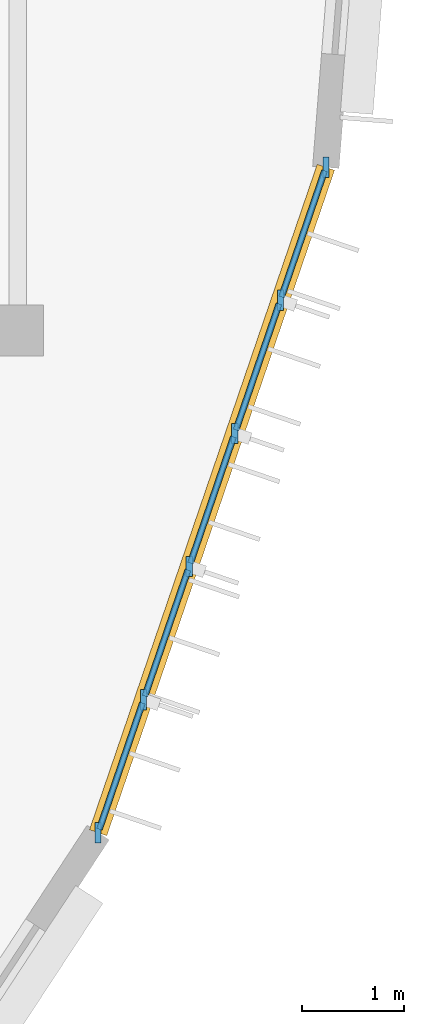
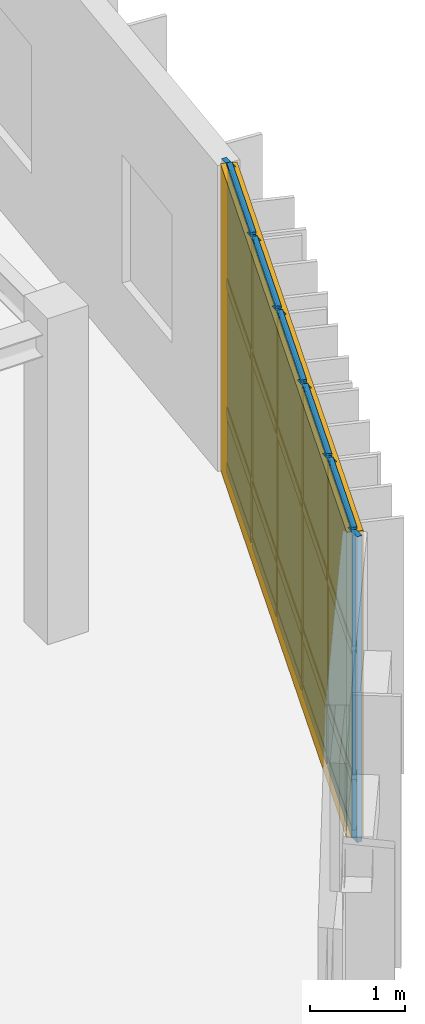
# One storey, part 100 of 122: 26 members, 15 plates, 1 curtain wall.
"""IFC4 building model written with IfcOpenShell, lengths in metres."""

from ifc_helpers import new_model, si_unit, direction, frame, frame_2d, origin, origin_2d, place, context, subcontext, project, spatial, rectangle, extrude, material, layer, layer_set, material_profile, profile_set, type_object, element, aggregate, save


model = new_model("IFC4")

# Units and contexts
model_context = context("Model", 3, precision=1e-05, world=origin(), true_north=direction((0.0, 1.0)))
body_context = subcontext(model_context, "Body", "Model", "MODEL_VIEW")
ifc_project = project(units=[si_unit("LENGTHUNIT", "METRE"), si_unit("AREAUNIT", "SQUARE_METRE"), si_unit("VOLUMEUNIT", "CUBIC_METRE"), si_unit("PLANEANGLEUNIT", "RADIAN"), si_unit("MASSUNIT", "GRAM", prefix="KILO")], contexts=[model_context])

# Member
ifc_material_1 = material(Name="Anodised Bronze Aluminium 6063-T6", Category="aluminium")
ifc_material_profile_1 = material_profile(ifc_material_1, rectangle(XDim=0.06005859375, YDim=0.199951171875, at=origin_2d()), Name="ALU MULLION 60x200")
ifc_profile_set_1 = profile_set([ifc_material_profile_1], Name="Anodised Bronze Aluminium 6063-T6")
member_type_1 = type_object("IfcMemberType", Name="Curtain-Wall Standard Mullion 60x200", PredefinedType="MULLION", material=ifc_profile_set_1)
site_placement = place(None, origin())
building_placement = place(site_placement, origin())
storey_placement = place(building_placement, frame((0.0, 0.0, 4.800048828125)))
member_1_placement = place(storey_placement, frame((159.7890625, 32.464599609375, 0.0), z_axis=(0.0, 0.0, 1.0), x_axis=(1.0, 0.0, 0.0)))
member_1 = element("IfcMember", 1, at=member_1_placement, type_object=member_type_1, Name="Mullion CWM-03 CW-V4-DRUM-L01-S07-M01", PredefinedType="MULLION", context=body_context, shape_type="SweptSolid", body=[
    extrude(rectangle(XDim=0.06005859375, YDim=0.199951171875, at=origin_2d()), origin(), (0.0, 0.0, 1.0), 3.93994140625),
])

member_2_placement = place(storey_placement, frame((160.236572265625, 33.772216796875, 0.0), z_axis=(0.0, 0.0, 1.0), x_axis=(1.0, 0.0, 0.0)))
member_2 = element("IfcMember", 2, at=member_2_placement, type_object=member_type_1, Name="Mullion CWM-03 CW-V4-DRUM-L01-S07-M02", PredefinedType="MULLION", context=body_context, shape_type="SweptSolid", body=[
    extrude(rectangle(XDim=0.06005859375, YDim=0.199951171875, at=origin_2d()), origin(), (0.0, 0.0, 1.0), 3.93994140625),
])

member_3_placement = place(storey_placement, frame((160.68408203125, 35.079833984375, 0.0), z_axis=(0.0, 0.0, 1.0), x_axis=(1.0, 0.0, 0.0)))
member_3 = element("IfcMember", 3, at=member_3_placement, type_object=member_type_1, Name="Mullion CWM-03 CW-V4-DRUM-L01-S07-M03", PredefinedType="MULLION", context=body_context, shape_type="SweptSolid", body=[
    extrude(rectangle(XDim=0.06005859375, YDim=0.199951171875, at=origin_2d()), origin(), (0.0, 0.0, 1.0), 3.93994140625),
])

member_4_placement = place(storey_placement, frame((161.131591796875, 36.387451171875, 0.0), z_axis=(0.0, 0.0, 1.0), x_axis=(1.0, 0.0, 0.0)))
member_4 = element("IfcMember", 4, at=member_4_placement, type_object=member_type_1, Name="Mullion CWM-03 CW-V4-DRUM-L01-S07-M04", PredefinedType="MULLION", context=body_context, shape_type="SweptSolid", body=[
    extrude(rectangle(XDim=0.06005859375, YDim=0.199951171875, at=origin_2d()), origin(), (0.0, 0.0, 1.0), 3.93994140625),
])

member_5_placement = place(storey_placement, frame((161.5791015625, 37.6953125, 0.0), z_axis=(0.0, 0.0, 1.0), x_axis=(1.0, 0.0, 0.0)))
member_5 = element("IfcMember", 5, at=member_5_placement, type_object=member_type_1, Name="Mullion CWM-03 CW-V4-DRUM-L01-S07-M05", PredefinedType="MULLION", context=body_context, shape_type="SweptSolid", body=[
    extrude(rectangle(XDim=0.06005859375, YDim=0.199951171875, at=origin_2d()), origin(), (0.0, 0.0, 1.0), 3.93994140625),
])

member_6_placement = place(storey_placement, frame((162.026611328125, 39.002685546875, 0.0), z_axis=(0.0, 0.0, 1.0), x_axis=(1.0, 0.0, 0.0)))
member_6 = element("IfcMember", 6, at=member_6_placement, type_object=member_type_1, Name="Mullion CWM-03 CW-V4-DRUM-L01-S07-M06", PredefinedType="MULLION", context=body_context, shape_type="SweptSolid", body=[
    extrude(rectangle(XDim=0.06005859375, YDim=0.199951171875, at=origin_2d()), origin(), (0.0, 0.0, 1.0), 3.93994140625),
])

ifc_material_profile_2 = material_profile(ifc_material_1, rectangle(XDim=0.06005859375, YDim=0.139892578125, at=origin_2d()), Name="ALU TRANSOM 60x140")
ifc_profile_set_2 = profile_set([ifc_material_profile_2], Name="Anodised Bronze Aluminium 6063-T6")
member_type_2 = type_object("IfcMemberType", Name="Curtain-Wall Transom 60x140", PredefinedType="USERDEFINED", material=ifc_profile_set_2)
member_7_placement = place(storey_placement, frame((159.80029296875, 32.497802734375, 0.0400390625), z_axis=(0.323810434069, 0.946121980924, 0.0), x_axis=(-0.946121980924, 0.323810434069, 0.0)))
member_7 = element("IfcMember", 7, at=member_7_placement, type_object=member_type_2, Name="Transom CWT-01 CW-V4-DRUM-L01-S07-T01.1", ObjectType="TRANSOM", PredefinedType="USERDEFINED", context=body_context, shape_type="SweptSolid", body=[
    extrude(rectangle(XDim=0.06005859375, YDim=0.139892578125, at=origin_2d()), origin(), (0.0, 0.0, 1.0), 1.31201171875),
])

member_8_placement = place(storey_placement, frame((159.80029296875, 32.497802734375, 0.75), z_axis=(0.323810434069, 0.946121980924, 0.0), x_axis=(-0.946121980924, 0.323810434069, 0.0)))
member_8 = element("IfcMember", 8, at=member_8_placement, type_object=member_type_2, Name="Transom CWT-01 CW-V4-DRUM-L01-S07-T01.2", ObjectType="TRANSOM", PredefinedType="USERDEFINED", context=body_context, shape_type="SweptSolid", body=[
    extrude(rectangle(XDim=0.06005859375, YDim=0.139892578125, at=origin_2d()), origin(), (0.0, 0.0, 1.0), 1.31201171875),
])

member_9_placement = place(storey_placement, frame((159.80029296875, 32.497802734375, 2.40869140625), z_axis=(0.323810434069, 0.946121980924, 0.0), x_axis=(-0.946121980924, 0.323810434069, 0.0)))
member_9 = element("IfcMember", 9, at=member_9_placement, type_object=member_type_2, Name="Transom CWT-01 CW-V4-DRUM-L01-S07-T01.3", ObjectType="TRANSOM", PredefinedType="USERDEFINED", context=body_context, shape_type="SweptSolid", body=[
    extrude(rectangle(XDim=0.06005859375, YDim=0.139892578125, at=origin_2d()), origin(), (0.0, 0.0, 1.0), 1.31201171875),
])

member_10_placement = place(storey_placement, frame((159.80029296875, 32.497802734375, 3.89990234375), z_axis=(0.323810434069, 0.946121980924, 0.0), x_axis=(-0.946121980924, 0.323810434069, 0.0)))
member_10 = element("IfcMember", 10, at=member_10_placement, type_object=member_type_2, Name="Transom CWT-01 CW-V4-DRUM-L01-S07-T01.4", ObjectType="TRANSOM", PredefinedType="USERDEFINED", context=body_context, shape_type="SweptSolid", body=[
    extrude(rectangle(XDim=0.06005859375, YDim=0.139892578125, at=origin_2d()), origin(), (0.0, 0.0, 1.0), 1.31201171875),
])

member_11_placement = place(storey_placement, frame((160.247802734375, 33.805419921875, 0.0400390625), z_axis=(0.323753429774, 0.946141488737, 0.0), x_axis=(-0.946141488737, 0.323753429774, 0.0)))
member_11 = element("IfcMember", 11, at=member_11_placement, type_object=member_type_2, Name="Transom CWT-01 CW-V4-DRUM-L01-S07-T02.1", ObjectType="TRANSOM", PredefinedType="USERDEFINED", context=body_context, shape_type="SweptSolid", body=[
    extrude(rectangle(XDim=0.06005859375, YDim=0.139892578125, at=origin_2d()), origin(), (0.0, 0.0, 1.0), 1.31201171875),
])

member_12_placement = place(storey_placement, frame((160.247802734375, 33.805419921875, 0.75), z_axis=(0.323753429774, 0.946141488737, 0.0), x_axis=(-0.946141488737, 0.323753429774, 0.0)))
member_12 = element("IfcMember", 12, at=member_12_placement, type_object=member_type_2, Name="Transom CWT-01 CW-V4-DRUM-L01-S07-T02.2", ObjectType="TRANSOM", PredefinedType="USERDEFINED", context=body_context, shape_type="SweptSolid", body=[
    extrude(rectangle(XDim=0.06005859375, YDim=0.139892578125, at=origin_2d()), origin(), (0.0, 0.0, 1.0), 1.31201171875),
])

member_13_placement = place(storey_placement, frame((160.247802734375, 33.805419921875, 2.40869140625), z_axis=(0.323753429774, 0.946141488737, 0.0), x_axis=(-0.946141488737, 0.323753429774, 0.0)))
member_13 = element("IfcMember", 13, at=member_13_placement, type_object=member_type_2, Name="Transom CWT-01 CW-V4-DRUM-L01-S07-T02.3", ObjectType="TRANSOM", PredefinedType="USERDEFINED", context=body_context, shape_type="SweptSolid", body=[
    extrude(rectangle(XDim=0.06005859375, YDim=0.139892578125, at=origin_2d()), origin(), (0.0, 0.0, 1.0), 1.31201171875),
])

member_14_placement = place(storey_placement, frame((160.247802734375, 33.805419921875, 3.89990234375), z_axis=(0.323753429774, 0.946141488737, 0.0), x_axis=(-0.946141488737, 0.323753429774, 0.0)))
member_14 = element("IfcMember", 14, at=member_14_placement, type_object=member_type_2, Name="Transom CWT-01 CW-V4-DRUM-L01-S07-T02.4", ObjectType="TRANSOM", PredefinedType="USERDEFINED", context=body_context, shape_type="SweptSolid", body=[
    extrude(rectangle(XDim=0.06005859375, YDim=0.139892578125, at=origin_2d()), origin(), (0.0, 0.0, 1.0), 1.31201171875),
])

member_15_placement = place(storey_placement, frame((160.6953125, 35.113037109375, 0.0400390625), z_axis=(0.323753429774, 0.946141488737, 0.0), x_axis=(-0.946141488737, 0.323753429774, 0.0)))
member_15 = element("IfcMember", 15, at=member_15_placement, type_object=member_type_2, Name="Transom CWT-01 CW-V4-DRUM-L01-S07-T03.1", ObjectType="TRANSOM", PredefinedType="USERDEFINED", context=body_context, shape_type="SweptSolid", body=[
    extrude(rectangle(XDim=0.06005859375, YDim=0.139892578125, at=origin_2d()), origin(), (0.0, 0.0, 1.0), 1.31201171875),
])

member_16_placement = place(storey_placement, frame((160.6953125, 35.113037109375, 0.75), z_axis=(0.323753429774, 0.946141488737, 0.0), x_axis=(-0.946141488737, 0.323753429774, 0.0)))
member_16 = element("IfcMember", 16, at=member_16_placement, type_object=member_type_2, Name="Transom CWT-01 CW-V4-DRUM-L01-S07-T03.2", ObjectType="TRANSOM", PredefinedType="USERDEFINED", context=body_context, shape_type="SweptSolid", body=[
    extrude(rectangle(XDim=0.06005859375, YDim=0.139892578125, at=origin_2d()), origin(), (0.0, 0.0, 1.0), 1.31201171875),
])

member_17_placement = place(storey_placement, frame((160.6953125, 35.113037109375, 2.40869140625), z_axis=(0.323753429774, 0.946141488737, 0.0), x_axis=(-0.946141488737, 0.323753429774, 0.0)))
member_17 = element("IfcMember", 17, at=member_17_placement, type_object=member_type_2, Name="Transom CWT-01 CW-V4-DRUM-L01-S07-T03.3", ObjectType="TRANSOM", PredefinedType="USERDEFINED", context=body_context, shape_type="SweptSolid", body=[
    extrude(rectangle(XDim=0.06005859375, YDim=0.139892578125, at=origin_2d()), origin(), (0.0, 0.0, 1.0), 1.31201171875),
])

member_18_placement = place(storey_placement, frame((160.6953125, 35.113037109375, 3.89990234375), z_axis=(0.323753429774, 0.946141488737, 0.0), x_axis=(-0.946141488737, 0.323753429774, 0.0)))
member_18 = element("IfcMember", 18, at=member_18_placement, type_object=member_type_2, Name="Transom CWT-01 CW-V4-DRUM-L01-S07-T03.4", ObjectType="TRANSOM", PredefinedType="USERDEFINED", context=body_context, shape_type="SweptSolid", body=[
    extrude(rectangle(XDim=0.06005859375, YDim=0.139892578125, at=origin_2d()), origin(), (0.0, 0.0, 1.0), 1.31201171875),
])

member_19_placement = place(storey_placement, frame((161.142822265625, 36.420654296875, 0.0400390625), z_axis=(0.323753429774, 0.946141488737, 0.0), x_axis=(-0.946141488737, 0.323753429774, 0.0)))
member_19 = element("IfcMember", 19, at=member_19_placement, type_object=member_type_2, Name="Transom CWT-01 CW-V4-DRUM-L01-S07-T04.1", ObjectType="TRANSOM", PredefinedType="USERDEFINED", context=body_context, shape_type="SweptSolid", body=[
    extrude(rectangle(XDim=0.06005859375, YDim=0.139892578125, at=origin_2d()), origin(), (0.0, 0.0, 1.0), 1.31201171875),
])

member_20_placement = place(storey_placement, frame((161.142822265625, 36.420654296875, 0.75), z_axis=(0.323753429774, 0.946141488737, 0.0), x_axis=(-0.946141488737, 0.323753429774, 0.0)))
member_20 = element("IfcMember", 20, at=member_20_placement, type_object=member_type_2, Name="Transom CWT-01 CW-V4-DRUM-L01-S07-T04.2", ObjectType="TRANSOM", PredefinedType="USERDEFINED", context=body_context, shape_type="SweptSolid", body=[
    extrude(rectangle(XDim=0.06005859375, YDim=0.139892578125, at=origin_2d()), origin(), (0.0, 0.0, 1.0), 1.31201171875),
])

member_21_placement = place(storey_placement, frame((161.142822265625, 36.420654296875, 2.40869140625), z_axis=(0.323753429774, 0.946141488737, 0.0), x_axis=(-0.946141488737, 0.323753429774, 0.0)))
member_21 = element("IfcMember", 21, at=member_21_placement, type_object=member_type_2, Name="Transom CWT-01 CW-V4-DRUM-L01-S07-T04.3", ObjectType="TRANSOM", PredefinedType="USERDEFINED", context=body_context, shape_type="SweptSolid", body=[
    extrude(rectangle(XDim=0.06005859375, YDim=0.139892578125, at=origin_2d()), origin(), (0.0, 0.0, 1.0), 1.31201171875),
])

member_22_placement = place(storey_placement, frame((161.142822265625, 36.420654296875, 3.89990234375), z_axis=(0.323753429774, 0.946141488737, 0.0), x_axis=(-0.946141488737, 0.323753429774, 0.0)))
member_22 = element("IfcMember", 22, at=member_22_placement, type_object=member_type_2, Name="Transom CWT-01 CW-V4-DRUM-L01-S07-T04.4", ObjectType="TRANSOM", PredefinedType="USERDEFINED", context=body_context, shape_type="SweptSolid", body=[
    extrude(rectangle(XDim=0.06005859375, YDim=0.139892578125, at=origin_2d()), origin(), (0.0, 0.0, 1.0), 1.31201171875),
])

member_23_placement = place(storey_placement, frame((161.59033203125, 37.728271484375, 0.0400390625), z_axis=(0.323753429774, 0.946141488737, 0.0), x_axis=(-0.946141488737, 0.323753429774, 0.0)))
member_23 = element("IfcMember", 23, at=member_23_placement, type_object=member_type_2, Name="Transom CWT-01 CW-V4-DRUM-L01-S07-T05.1", ObjectType="TRANSOM", PredefinedType="USERDEFINED", context=body_context, shape_type="SweptSolid", body=[
    extrude(rectangle(XDim=0.06005859375, YDim=0.139892578125, at=origin_2d()), origin(), (0.0, 0.0, 1.0), 1.31201171875),
])

member_24_placement = place(storey_placement, frame((161.59033203125, 37.728271484375, 0.75), z_axis=(0.323753429774, 0.946141488737, 0.0), x_axis=(-0.946141488737, 0.323753429774, 0.0)))
member_24 = element("IfcMember", 24, at=member_24_placement, type_object=member_type_2, Name="Transom CWT-01 CW-V4-DRUM-L01-S07-T05.2", ObjectType="TRANSOM", PredefinedType="USERDEFINED", context=body_context, shape_type="SweptSolid", body=[
    extrude(rectangle(XDim=0.06005859375, YDim=0.139892578125, at=origin_2d()), origin(), (0.0, 0.0, 1.0), 1.31201171875),
])

member_25_placement = place(storey_placement, frame((161.59033203125, 37.728271484375, 2.40869140625), z_axis=(0.323753429774, 0.946141488737, 0.0), x_axis=(-0.946141488737, 0.323753429774, 0.0)))
member_25 = element("IfcMember", 25, at=member_25_placement, type_object=member_type_2, Name="Transom CWT-01 CW-V4-DRUM-L01-S07-T05.3", ObjectType="TRANSOM", PredefinedType="USERDEFINED", context=body_context, shape_type="SweptSolid", body=[
    extrude(rectangle(XDim=0.06005859375, YDim=0.139892578125, at=origin_2d()), origin(), (0.0, 0.0, 1.0), 1.31201171875),
])

member_26_placement = place(storey_placement, frame((161.59033203125, 37.728271484375, 3.89990234375), z_axis=(0.323753429774, 0.946141488737, 0.0), x_axis=(-0.946141488737, 0.323753429774, 0.0)))
member_26 = element("IfcMember", 26, at=member_26_placement, type_object=member_type_2, Name="Transom CWT-01 CW-V4-DRUM-L01-S07-T05.4", ObjectType="TRANSOM", PredefinedType="USERDEFINED", context=body_context, shape_type="SweptSolid", body=[
    extrude(rectangle(XDim=0.06005859375, YDim=0.139892578125, at=origin_2d()), origin(), (0.0, 0.0, 1.0), 1.31201171875),
])

# Plate
ifc_material_2 = material(Name="Insulated Bronze Aluminium Spandrel Panel", Category="aluminium")
ifc_layer_1 = layer(ifc_material_2, 0.050048828125, Name="Insulated Bronze Aluminium Spandrel Panel")
ifc_layer_set_1 = layer_set([ifc_layer_1], Name="Insulated Bronze Aluminium Spandrel Panel")
plate_type_1 = type_object("IfcPlateType", Name="Insulated Anodised Aluminium Spandrel Cassette 50", PredefinedType="CURTAIN_PANEL", material=ifc_layer_set_1)
plate_1_placement = place(storey_placement, frame((160.0126953125, 33.118408203125, 0.070068359375), z_axis=(0.0, 0.0, 1.0), x_axis=(0.323785316605, 0.946130577009, 0.0)))
plate_1 = element("IfcPlate", 27, at=plate_1_placement, type_object=plate_type_1, Name="Curtain Panel CWP-03 CW-V4-DRUM-L01-S07-P01.1", PredefinedType="CURTAIN_PANEL", context=body_context, shape_type="SweptSolid", body=[
    extrude(rectangle(XDim=1.31201171875, YDim=0.050048828125, at=origin_2d()), origin(), (0.0, 0.0, 1.0), 0.64990234375),
])

plate_2_placement = place(storey_placement, frame((160.460205078125, 34.426025390625, 0.070068359375), z_axis=(0.0, 0.0, 1.0), x_axis=(0.323785316605, 0.946130577009, 0.0)))
plate_2 = element("IfcPlate", 28, at=plate_2_placement, type_object=plate_type_1, Name="Curtain Panel CWP-03 CW-V4-DRUM-L01-S07-P02.1", PredefinedType="CURTAIN_PANEL", context=body_context, shape_type="SweptSolid", body=[
    extrude(rectangle(XDim=1.31201171875, YDim=0.050048828125, at=origin_2d()), origin(), (0.0, 0.0, 1.0), 0.64990234375),
])

plate_3_placement = place(storey_placement, frame((160.90771484375, 35.733642578125, 0.070068359375), z_axis=(0.0, 0.0, 1.0), x_axis=(0.323785316605, 0.946130577009, 0.0)))
plate_3 = element("IfcPlate", 29, at=plate_3_placement, type_object=plate_type_1, Name="Curtain Panel CWP-03 CW-V4-DRUM-L01-S07-P03.1", PredefinedType="CURTAIN_PANEL", context=body_context, shape_type="SweptSolid", body=[
    extrude(rectangle(XDim=1.31201171875, YDim=0.050048828125, at=origin_2d()), origin(), (0.0, 0.0, 1.0), 0.64990234375),
])

plate_4_placement = place(storey_placement, frame((161.355224609375, 37.041259765625, 0.070068359375), z_axis=(0.0, 0.0, 1.0), x_axis=(0.323785316605, 0.946130577009, 0.0)))
plate_4 = element("IfcPlate", 30, at=plate_4_placement, type_object=plate_type_1, Name="Curtain Panel CWP-03 CW-V4-DRUM-L01-S07-P04.1", PredefinedType="CURTAIN_PANEL", context=body_context, shape_type="SweptSolid", body=[
    extrude(rectangle(XDim=1.31201171875, YDim=0.050048828125, at=origin_2d()), origin(), (0.0, 0.0, 1.0), 0.64990234375),
])

plate_5_placement = place(storey_placement, frame((161.802734375, 38.34912109375, 0.070068359375), z_axis=(0.0, 0.0, 1.0), x_axis=(0.323785316605, 0.946130577009, 0.0)))
plate_5 = element("IfcPlate", 31, at=plate_5_placement, type_object=plate_type_1, Name="Curtain Panel CWP-03 CW-V4-DRUM-L01-S07-P05.1", PredefinedType="CURTAIN_PANEL", context=body_context, shape_type="SweptSolid", body=[
    extrude(rectangle(XDim=1.31201171875, YDim=0.050048828125, at=origin_2d()), origin(), (0.0, 0.0, 1.0), 0.64990234375),
])

ifc_material_3 = material(Name="Solar-Control Tempered Double Glazing", Category="glass")
ifc_layer_2 = layer(ifc_material_3, 0.0380859375, Name="Solar-Control Tempered Double Glazing")
ifc_layer_set_2 = layer_set([ifc_layer_2], Name="Solar-Control Tempered Double Glazing")
plate_type_2 = type_object("IfcPlateType", Name="Solar-Control Vision Glazing Unit 38", PredefinedType="CURTAIN_PANEL", material=ifc_layer_set_2)
plate_6_placement = place(storey_placement, frame((160.0126953125, 33.118408203125, 0.77978515625), z_axis=(0.0, 0.0, 1.0), x_axis=(0.323785316605, 0.946130577009, 0.0)))
plate_6 = element("IfcPlate", 32, at=plate_6_placement, type_object=plate_type_2, Name="Curtain Panel CWP-02 CW-V4-DRUM-L01-S07-P01.2", PredefinedType="CURTAIN_PANEL", context=body_context, shape_type="SweptSolid", body=[
    extrude(rectangle(XDim=1.31201171875, YDim=0.0380859375, at=origin_2d()), origin(), (0.0, 0.0, 1.0), 1.598876953125),
])

plate_7_placement = place(storey_placement, frame((160.0126953125, 33.118408203125, 2.438720703125), z_axis=(0.0, 0.0, 1.0), x_axis=(0.323785316605, 0.946130577009, 0.0)))
plate_7 = element("IfcPlate", 33, at=plate_7_placement, type_object=plate_type_2, Name="Curtain Panel CWP-02 CW-V4-DRUM-L01-S07-P01.3", PredefinedType="CURTAIN_PANEL", context=body_context, shape_type="SweptSolid", body=[
    extrude(rectangle(XDim=1.31201171875, YDim=0.0380859375, at=origin_2d()), origin(), (0.0, 0.0, 1.0), 1.43115234375),
])

plate_8_placement = place(storey_placement, frame((160.460205078125, 34.426025390625, 0.77978515625), z_axis=(0.0, 0.0, 1.0), x_axis=(0.323785316605, 0.946130577009, 0.0)))
plate_8 = element("IfcPlate", 34, at=plate_8_placement, type_object=plate_type_2, Name="Curtain Panel CWP-02 CW-V4-DRUM-L01-S07-P02.2", PredefinedType="CURTAIN_PANEL", context=body_context, shape_type="SweptSolid", body=[
    extrude(rectangle(XDim=1.31201171875, YDim=0.0380859375, at=origin_2d()), origin(), (0.0, 0.0, 1.0), 1.598876953125),
])

plate_9_placement = place(storey_placement, frame((160.460205078125, 34.426025390625, 2.438720703125), z_axis=(0.0, 0.0, 1.0), x_axis=(0.323785316605, 0.946130577009, 0.0)))
plate_9 = element("IfcPlate", 35, at=plate_9_placement, type_object=plate_type_2, Name="Curtain Panel CWP-02 CW-V4-DRUM-L01-S07-P02.3", PredefinedType="CURTAIN_PANEL", context=body_context, shape_type="SweptSolid", body=[
    extrude(rectangle(XDim=1.31201171875, YDim=0.0380859375, at=origin_2d()), origin(), (0.0, 0.0, 1.0), 1.43115234375),
])

plate_10_placement = place(storey_placement, frame((160.90771484375, 35.733642578125, 0.77978515625), z_axis=(0.0, 0.0, 1.0), x_axis=(0.323785316605, 0.946130577009, 0.0)))
plate_10 = element("IfcPlate", 36, at=plate_10_placement, type_object=plate_type_2, Name="Curtain Panel CWP-02 CW-V4-DRUM-L01-S07-P03.2", PredefinedType="CURTAIN_PANEL", context=body_context, shape_type="SweptSolid", body=[
    extrude(rectangle(XDim=1.31201171875, YDim=0.0380859375, at=origin_2d()), origin(), (0.0, 0.0, 1.0), 1.598876953125),
])

plate_11_placement = place(storey_placement, frame((160.90771484375, 35.733642578125, 2.438720703125), z_axis=(0.0, 0.0, 1.0), x_axis=(0.323785316605, 0.946130577009, 0.0)))
plate_11 = element("IfcPlate", 37, at=plate_11_placement, type_object=plate_type_2, Name="Curtain Panel CWP-02 CW-V4-DRUM-L01-S07-P03.3", PredefinedType="CURTAIN_PANEL", context=body_context, shape_type="SweptSolid", body=[
    extrude(rectangle(XDim=1.31201171875, YDim=0.0380859375, at=origin_2d()), origin(), (0.0, 0.0, 1.0), 1.43115234375),
])

plate_12_placement = place(storey_placement, frame((161.355224609375, 37.041259765625, 0.77978515625), z_axis=(0.0, 0.0, 1.0), x_axis=(0.323785316605, 0.946130577009, 0.0)))
plate_12 = element("IfcPlate", 38, at=plate_12_placement, type_object=plate_type_2, Name="Curtain Panel CWP-02 CW-V4-DRUM-L01-S07-P04.2", PredefinedType="CURTAIN_PANEL", context=body_context, shape_type="SweptSolid", body=[
    extrude(rectangle(XDim=1.31201171875, YDim=0.0380859375, at=origin_2d()), origin(), (0.0, 0.0, 1.0), 1.598876953125),
])

plate_13_placement = place(storey_placement, frame((161.355224609375, 37.041259765625, 2.438720703125), z_axis=(0.0, 0.0, 1.0), x_axis=(0.323785316605, 0.946130577009, 0.0)))
plate_13 = element("IfcPlate", 39, at=plate_13_placement, type_object=plate_type_2, Name="Curtain Panel CWP-02 CW-V4-DRUM-L01-S07-P04.3", PredefinedType="CURTAIN_PANEL", context=body_context, shape_type="SweptSolid", body=[
    extrude(rectangle(XDim=1.31201171875, YDim=0.0380859375, at=origin_2d()), origin(), (0.0, 0.0, 1.0), 1.43115234375),
])

plate_14_placement = place(storey_placement, frame((161.802734375, 38.34912109375, 0.77978515625), z_axis=(0.0, 0.0, 1.0), x_axis=(0.323785316605, 0.946130577009, 0.0)))
plate_14 = element("IfcPlate", 40, at=plate_14_placement, type_object=plate_type_2, Name="Curtain Panel CWP-02 CW-V4-DRUM-L01-S07-P05.2", PredefinedType="CURTAIN_PANEL", context=body_context, shape_type="SweptSolid", body=[
    extrude(rectangle(XDim=1.31201171875, YDim=0.0380859375, at=origin_2d()), origin(), (0.0, 0.0, 1.0), 1.598876953125),
])

plate_15_placement = place(storey_placement, frame((161.802734375, 38.34912109375, 2.438720703125), z_axis=(0.0, 0.0, 1.0), x_axis=(0.323785316605, 0.946130577009, 0.0)))
plate_15 = element("IfcPlate", 41, at=plate_15_placement, type_object=plate_type_2, Name="Curtain Panel CWP-02 CW-V4-DRUM-L01-S07-P05.3", PredefinedType="CURTAIN_PANEL", context=body_context, shape_type="SweptSolid", body=[
    extrude(rectangle(XDim=1.31201171875, YDim=0.0380859375, at=origin_2d()), origin(), (0.0, 0.0, 1.0), 1.43115234375),
])

# Site, building, storey
site = spatial("IfcSite", under=ifc_project, at=site_placement, CompositionType="ELEMENT")
building = spatial("IfcBuilding", under=site, at=building_placement, Name="Tazoul Stagehouse", CompositionType="ELEMENT")
storey = spatial("IfcBuildingStorey", under=building, at=storey_placement, Name="L01", CompositionType="ELEMENT", Elevation=4.800048828125)

# Curtain wall
curtain_wall_type = type_object("IfcCurtainWallType", Name="Studio Drum Faceted Curtain Wall", PredefinedType="NOTDEFINED", material=ifc_material_1)
curtain_wall_placement = place(storey_placement, frame((159.7890625, 32.464599609375, 0.0), z_axis=(0.0, 0.0, 1.0), x_axis=(0.323795877985, 0.946126962622, 0.0)))
curtain_wall = element("IfcCurtainWall", 42, at=curtain_wall_placement, inside=storey, type_object=curtain_wall_type, Name="L01 Curtain Wall CW-03 (CW-V4-DRUM-L01-S07)", PredefinedType="NOTDEFINED", context=body_context, shape_type="SweptSolid", body=[
    extrude(rectangle(XDim=6.910400390625, YDim=0.179931640625, at=frame_2d((3.455078125, 0.0))), origin(), (0.0, 0.0, 1.0), 3.93994140625),
])

aggregate(curtain_wall, [member_1, member_2, member_3, member_4, member_5, member_6, member_7, member_8, member_9, member_10, plate_1, plate_6, plate_7, member_11, member_12, member_13, member_14, plate_2, plate_8, plate_9, member_15, member_16, member_17, member_18, plate_3, plate_10, plate_11, member_19, member_20, member_21, member_22, plate_4, plate_12, plate_13, member_23, member_24, member_25, member_26, plate_5, plate_14, plate_15])

save(model, "model.ifc")
